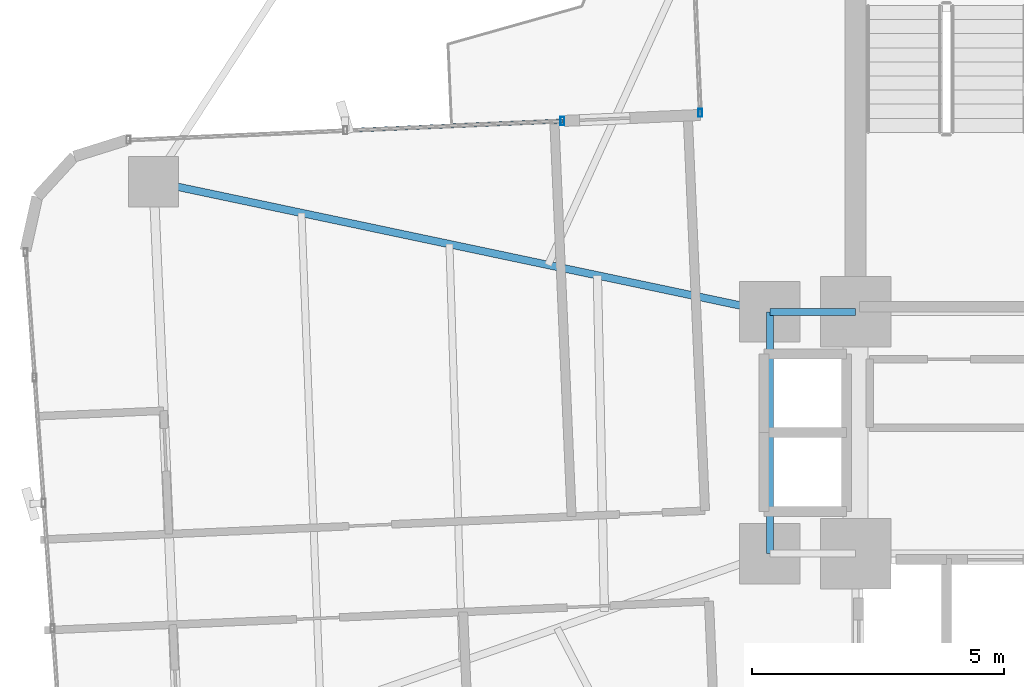
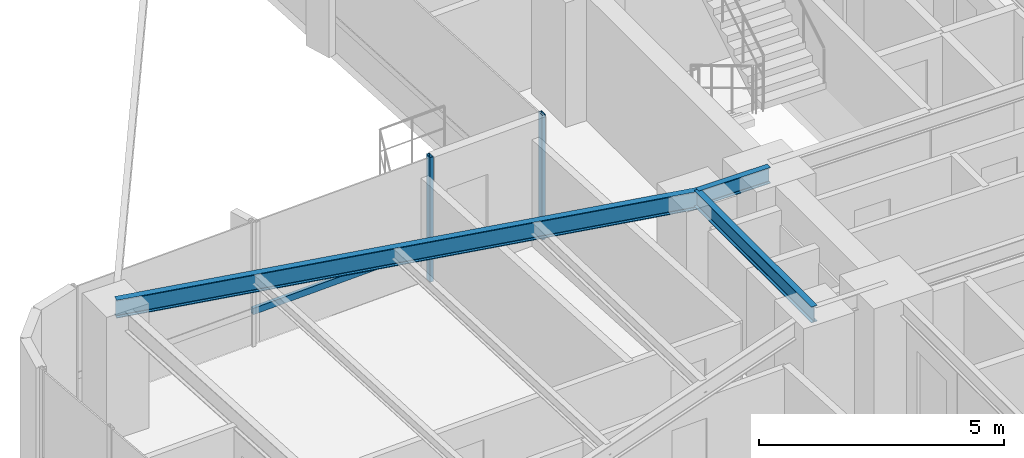
# One storey, part 10 of 26: 3 beams, 3 members, 2 elements without a shape of their own.
"""IFC4 building model written with IfcOpenShell, lengths in metres."""

from ifc_helpers import new_model, si_unit, direction, frame, origin, origin_2d, place, context, subcontext, project, spatial, hollow_rectangle, i_section, extrude, source, transform, mapped, material, material_profile, profile_set, type_object, element, aggregate, save


model = new_model("IFC4")

# Units and contexts
model_context = context("Model", 3, precision=1e-05, world=origin(), true_north=direction((0.0, 1.0)))
body_context = subcontext(model_context, "Body", "Model", "MODEL_VIEW")
ifc_project = project(units=[si_unit("LENGTHUNIT", "METRE"), si_unit("AREAUNIT", "SQUARE_METRE"), si_unit("VOLUMEUNIT", "CUBIC_METRE"), si_unit("PLANEANGLEUNIT", "RADIAN"), si_unit("MASSUNIT", "GRAM", prefix="KILO")], contexts=[model_context])

# Site, building, storey
site_placement = place(None, origin())
site = spatial("IfcSite", under=ifc_project, at=site_placement, CompositionType="ELEMENT")
building_placement = place(site_placement, origin())
building = spatial("IfcBuilding", under=site, at=building_placement, Name="Sahyath Konkavel Grand Hotel", CompositionType="ELEMENT")
storey_placement = place(building_placement, frame((0.0, 0.0, 111.449951171875)))
storey = spatial("IfcBuildingStorey", under=building, at=storey_placement, Name="L30", CompositionType="ELEMENT", Elevation=111.449951171875)

# Beams
ifc_material_1 = material(Name="Steel E350", Category="steel")
ifc_material_profile_1 = material_profile(ifc_material_1, i_section(OverallWidth=0.139892578125, OverallDepth=0.39990234375, WebThickness=0.0087890625, FlangeThickness=0.01611328125, FilletRadius=0.013916015625, at=origin_2d()), Name="ISMB 400")
ifc_profile_set_1 = profile_set([ifc_material_profile_1], Name="Steel E350")
beam_type_1 = type_object("IfcBeamType", Name="BM-ISMB400", PredefinedType="BEAM", material=ifc_profile_set_1)
shared_shape_1 = source(origin(), body_context, "Body", "SweptSolid", [
    extrude(i_section(OverallWidth=0.139892578125, OverallDepth=0.39990234375, WebThickness=0.0087890625, FlangeThickness=0.01611328125, FilletRadius=0.013916015625, at=origin_2d()), origin(), (0.0, 0.0, 1.0), 1.699951171875),
])
beam_1_placement = place(storey_placement, frame((-5.5, 2.39990234375, 2.91015625), z_axis=(1.0, 0.0, 0.0), x_axis=(0.0, 1.0, 0.0)))
element("IfcBeam", 1, at=beam_1_placement, inside=storey, type_object=beam_type_1, Name="str:bm:L30:HB-NW", PredefinedType="BEAM", context=body_context, shape_type="MappedRepresentation", body=[
    mapped(shared_shape_1, transform((0.0, 0.0, 0.0), scale=1.0)),
])
shared_shape_2 = source(origin(), body_context, "Body", "SweptSolid", [
    extrude(i_section(OverallWidth=0.139892578125, OverallDepth=0.39990234375, WebThickness=0.0087890625, FlangeThickness=0.01611328125, FilletRadius=0.013916015625, at=origin_2d()), origin(), (0.0, 0.0, 1.0), 4.7998046875),
])
beam_2_placement = place(storey_placement, frame((-5.5, -2.39990234375, 2.91015625), z_axis=(0.0, 1.0, 0.0), x_axis=(-1.0, 0.0, 0.0)))
element("IfcBeam", 2, at=beam_2_placement, inside=storey, type_object=beam_type_1, Name="str:bm:L30:HB-W", PredefinedType="BEAM", context=body_context, shape_type="MappedRepresentation", body=[
    mapped(shared_shape_2, transform((0.0, 0.0, 0.0), scale=1.0)),
])
ifc_material_profile_2 = material_profile(ifc_material_1, i_section(OverallWidth=0.14990234375, OverallDepth=0.449951171875, WebThickness=0.009521484375, FlangeThickness=0.017333984375, FilletRadius=0.014892578125, at=origin_2d()), Name="ISMB 450")
ifc_profile_set_2 = profile_set([ifc_material_profile_2], Name="Steel E350")
beam_type_2 = type_object("IfcBeamType", Name="BM-ISMB450", PredefinedType="BEAM", material=ifc_profile_set_2)
shared_shape_3 = source(origin(), body_context, "Body", "SweptSolid", [
    extrude(i_section(OverallWidth=0.14990234375, OverallDepth=0.449951171875, WebThickness=0.009521484375, FlangeThickness=0.017333984375, FilletRadius=0.014892578125, at=origin_2d()), origin(), (0.0, 0.0, 1.0), 12.50341796875),
])
beam_3_placement = place(storey_placement, frame((-5.5, 2.39990234375, 2.885009765625), z_axis=(-0.978457911392, 0.206446398937, 0.0), x_axis=(-0.206446398937, -0.978457911392, 0.0)))
element("IfcBeam", 3, at=beam_3_placement, inside=storey, type_object=beam_type_2, Name="L30 Cruciform Radial Girder WA", PredefinedType="BEAM", context=body_context, shape_type="MappedRepresentation", body=[
    mapped(shared_shape_3, transform((0.0, 0.0, 0.0), scale=1.0)),
])

# Curtain wall, member
ifc_material_2 = material(Name="Anodised Bronze Aluminium & Low-E Glazing", Category="aluminium")
curtain_wall_type = type_object("IfcCurtainWallType", Name="CW-ZONE2", PredefinedType="NOTDEFINED", material=ifc_material_2)
curtain_wall_1_placement = place(storey_placement, origin())
curtain_wall_1 = element("IfcCurtainWall", 4, at=curtain_wall_1_placement, inside=storey, type_object=curtain_wall_type, Name="L30 Unitised Curtain Wall F15", PredefinedType="NOTDEFINED")
ifc_material_3 = material(Name="Anodised Bronze Aluminium", Category="aluminium")
ifc_material_profile_3 = material_profile(ifc_material_3, hollow_rectangle(XDim=0.080078125, YDim=0.159912109375, WallThickness=0.006103515625, at=origin_2d()), Name="RHS 160x80x6")
ifc_profile_set_3 = profile_set([ifc_material_profile_3], Name="Anodised Bronze Aluminium")
member_type_1 = type_object("IfcMemberType", Name="CW-MUL-160", PredefinedType="MULLION", material=ifc_profile_set_3)
shared_shape_4 = source(origin(), body_context, "Body", "SweptSolid", [
    extrude(hollow_rectangle(XDim=0.080078125, YDim=0.159912109375, WallThickness=0.006103515625, at=origin_2d()), origin(), (0.0, 0.0, 1.0), 3.110107421875),
])
member_1_placement = place(storey_placement, frame((-6.88330078125, 6.345703125, 0.0), z_axis=(0.0, 0.0, 1.0), x_axis=(1.0, 0.0, 0.0)))
member_1 = element("IfcMember", 5, at=member_1_placement, type_object=member_type_1, Name="L30 Curtain Wall Mullion F15-2", PredefinedType="MULLION", context=body_context, shape_type="MappedRepresentation", body=[
    mapped(shared_shape_4, transform((0.0, 0.0, 0.0), scale=1.0)),
])
aggregate(curtain_wall_1, [member_1])

# Curtain wall, members
curtain_wall_2_placement = place(storey_placement, origin())
curtain_wall_2 = element("IfcCurtainWall", 6, at=curtain_wall_2_placement, inside=storey, type_object=curtain_wall_type, Name="L30 Unitised Curtain Wall F16", PredefinedType="NOTDEFINED")
member_2_placement = place(storey_placement, frame((-9.618896484375, 6.186279296875, 0.0), z_axis=(0.0, 0.0, 1.0), x_axis=(1.0, 0.0, 0.0)))
member_2 = element("IfcMember", 7, at=member_2_placement, type_object=member_type_1, Name="L30 Curtain Wall Mullion F16-0", PredefinedType="MULLION", context=body_context, shape_type="MappedRepresentation", body=[
    mapped(shared_shape_4, transform((0.0, 0.0, 0.0), scale=1.0)),
])
ifc_material_profile_4 = material_profile(ifc_material_3, hollow_rectangle(XDim=0.080078125, YDim=0.159912109375, WallThickness=0.006103515625, at=origin_2d()), Name="RHS 160x80x6")
ifc_profile_set_4 = profile_set([ifc_material_profile_4], Name="Anodised Bronze Aluminium")
member_type_2 = type_object("IfcMemberType", Name="CW-TRN-160", PredefinedType="USERDEFINED", material=ifc_profile_set_4)
shared_shape_5 = source(origin(), body_context, "Body", "SweptSolid", [
    extrude(hollow_rectangle(XDim=0.080078125, YDim=0.159912109375, WallThickness=0.006103515625, at=origin_2d()), origin(), (0.0, 0.0, 1.0), 4.31005859375),
])
member_3_placement = place(storey_placement, frame((-9.618896484375, 6.186279296875, 0.85009765625), z_axis=(-0.999048340188, -0.043616670746, 0.0), x_axis=(0.043616670746, -0.999048340188, 0.0)))
member_3 = element("IfcMember", 8, at=member_3_placement, type_object=member_type_2, Name="L30 Curtain Wall Transom F16-0-spandrel", ObjectType="TRANSOM", PredefinedType="USERDEFINED", context=body_context, shape_type="MappedRepresentation", body=[
    mapped(shared_shape_5, transform((0.0, 0.0, 0.0), scale=1.0)),
])
aggregate(curtain_wall_2, [member_2, member_3])

save(model, "model.ifc")
